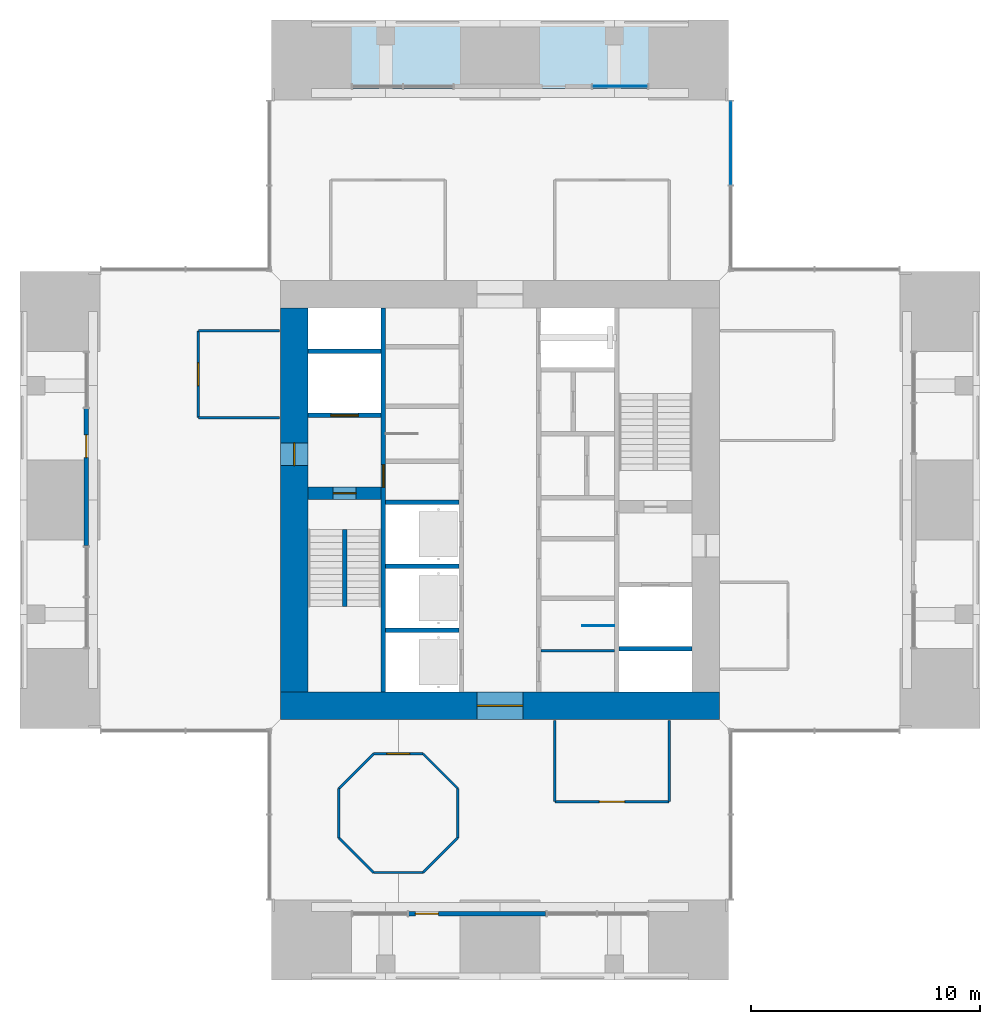
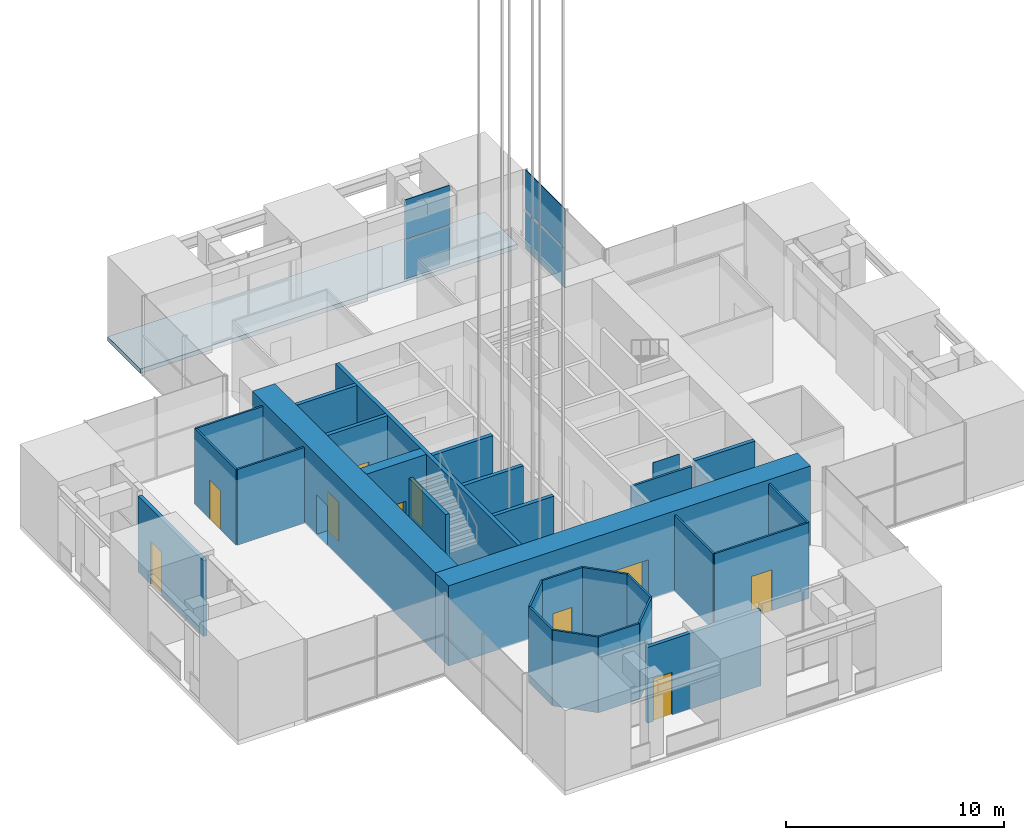
# One storey, part 5 of 17: 29 walls, 10 doors, 4 plates, 1 slab, 10 openings, 2 elements without a shape of their own.
"""IFC4 building model written with IfcOpenShell, lengths in metres."""

from ifc_helpers import new_model, si_unit, direction, frame, frame_2d, origin, origin_2d, place, context, subcontext, project, spatial, polyline, rectangle, outline, extrude, material, layer, layer_set, type_object, element, fill, aggregate, save


model = new_model("IFC4")

# Units and contexts
model_context = context("Model", 3, precision=1e-05, world=origin(), true_north=direction((0.0, 1.0)))
body_context = subcontext(model_context, "Body", "Model", "MODEL_VIEW")
ifc_project = project(units=[si_unit("LENGTHUNIT", "METRE"), si_unit("AREAUNIT", "SQUARE_METRE"), si_unit("VOLUMEUNIT", "CUBIC_METRE"), si_unit("PLANEANGLEUNIT", "RADIAN"), si_unit("MASSUNIT", "GRAM", prefix="KILO")], contexts=[model_context])

# Site, building, storey
site_placement = place(None, origin())
site = spatial("IfcSite", under=ifc_project, at=site_placement, CompositionType="ELEMENT")
building_placement = place(site_placement, origin())
building = spatial("IfcBuilding", under=site, at=building_placement, Name="Svetlomir Tower", CompositionType="ELEMENT")
storey_placement = place(building_placement, frame((0.0, 0.0, 239.5)))
storey = spatial("IfcBuildingStorey", under=building, at=storey_placement, Name="L57", CompositionType="ELEMENT", Elevation=239.5)

# Curtain wall, plates
ifc_material_1 = material(Name="Bronze anodised aluminium curtain wall", Category="aluminium")
curtain_wall_type = type_object("IfcCurtainWallType", Name="CURTAIN WALL CW2 SKY LOBBY", PredefinedType="NOTDEFINED", material=ifc_material_1)
curtain_wall_1_placement = place(storey_placement, origin())
curtain_wall_1 = element("IfcCurtainWall", 1, at=curtain_wall_1_placement, inside=storey, type_object=curtain_wall_type, Name="Curtain wall CW2 L57", PredefinedType="NOTDEFINED")
ifc_material_2 = material(Name="Tinted double glazed unit", Category="glass")
ifc_layer_1 = layer(ifc_material_2, 0.035888671875)
ifc_layer_set_1 = layer_set([ifc_layer_1], Name="Tinted double glazed unit")
plate_type = type_object("IfcPlateType", Name="CW2 GLAZED PANEL 36", PredefinedType="CURTAIN_PANEL", material=ifc_layer_set_1)
plate_1_placement = place(storey_placement, frame((31.10009765625, 36.608642578125, 0.06494140625), z_axis=(0.0, 0.0, 1.0), x_axis=(0.0, 1.0, 0.0)))
plate_1 = element("IfcPlate", 2, at=plate_1_placement, type_object=plate_type, Name="CW2 panel 2.1", PredefinedType="CURTAIN_PANEL", context=body_context, shape_type="SweptSolid", body=[
    extrude(rectangle(XDim=3.652587890625, YDim=0.035888671875, at=origin_2d()), origin(), (0.0, 0.0, 1.0), 2.152587890625),
])
plate_2_placement = place(storey_placement, frame((31.10009765625, 36.608642578125, 2.28271484375), z_axis=(0.0, 0.0, 1.0), x_axis=(0.0, 1.0, 0.0)))
plate_2 = element("IfcPlate", 3, at=plate_2_placement, type_object=plate_type, Name="CW2 panel 2.2", PredefinedType="CURTAIN_PANEL", context=body_context, shape_type="SweptSolid", body=[
    extrude(rectangle(XDim=3.652587890625, YDim=0.035888671875, at=origin_2d()), origin(), (0.0, 0.0, 1.0), 2.217529296875),
])
aggregate(curtain_wall_1, [plate_1, plate_2])

curtain_wall_2_placement = place(storey_placement, origin())
curtain_wall_2 = element("IfcCurtainWall", 4, at=curtain_wall_2_placement, inside=storey, type_object=curtain_wall_type, Name="Curtain wall CW2 L57", PredefinedType="NOTDEFINED")
plate_3_placement = place(storey_placement, frame((26.25, 39.10009765625, 0.06494140625), z_axis=(0.0, 0.0, 1.0), x_axis=(-1.0, 0.0, 0.0)))
plate_3 = element("IfcPlate", 5, at=plate_3_placement, type_object=plate_type, Name="CW2 panel 1.1", PredefinedType="CURTAIN_PANEL", context=body_context, shape_type="SweptSolid", body=[
    extrude(rectangle(XDim=2.3701171875, YDim=0.035888671875, at=origin_2d()), origin(), (0.0, 0.0, 1.0), 2.152587890625),
])
plate_4_placement = place(storey_placement, frame((26.25, 39.10009765625, 2.28271484375), z_axis=(0.0, 0.0, 1.0), x_axis=(-1.0, 0.0, 0.0)))
plate_4 = element("IfcPlate", 6, at=plate_4_placement, type_object=plate_type, Name="CW2 panel 1.2", PredefinedType="CURTAIN_PANEL", context=body_context, shape_type="SweptSolid", body=[
    extrude(rectangle(XDim=2.3701171875, YDim=0.035888671875, at=origin_2d()), origin(), (0.0, 0.0, 1.0), 2.217529296875),
])
aggregate(curtain_wall_2, [plate_3, plate_4])

# Slab
ifc_material_3 = material(Name="Concrete C60/75", Category="concrete")
ifc_layer_2 = layer(ifc_material_3, 0.25)
ifc_layer_set_2 = layer_set([ifc_layer_2], Name="Concrete C60/75")
slab_type = type_object("IfcSlabType", Name="PLANTED LOGGIA SLAB 250", PredefinedType="FLOOR", material=ifc_layer_set_2)
slab_placement = place(storey_placement, frame((0.0, 0.0, -0.25)))
element("IfcSlab", 7, at=slab_placement, inside=storey, type_object=slab_type, Name="L57 N planted loggia", PredefinedType="FLOOR", context=body_context, shape_type="SweptSolid", body=[
    extrude(outline(polyline([(11.0, 39.0), (31.0, 39.0), (31.0, 42.0), (11.0, 42.0), (11.0, 39.0)])), origin(), (0.0, 0.0, 1.0), 0.25),
])

# Wall, opening, door
ifc_material_4 = material(Name="Bronze anodised aluminium glazed screen", Category="aluminium")
ifc_layer_3 = layer(ifc_material_4, 0.199951171875)
ifc_layer_set_3 = layer_set([ifc_layer_3], Name="Bronze anodised aluminium glazed screen")
wall_type_1 = type_object("IfcWallType", Name="BALCONY SCREEN WALL 200", PredefinedType="USERDEFINED", material=ifc_layer_set_3)
wall_1_placement = place(storey_placement, frame((17.0, 2.89990234375, 0.0), z_axis=(0.0, 0.0, 1.0), x_axis=(1.0, 0.0, 0.0)))
wall_1 = element("IfcWall", 8, at=wall_1_placement, inside=storey, type_object=wall_type_1, Name="Balcony screen S", ObjectType="GLAZED SCREEN", PredefinedType="USERDEFINED", context=body_context, shape_type="SweptSolid", body=[
    extrude(rectangle(XDim=6.0, YDim=0.199951171875, at=frame_2d((3.0, 0.0))), origin(), (0.0, 0.0, 1.0), 4.25),
])
opening_1_placement = place(wall_1_placement, frame((0.300048828125, 0.0, 0.0)))
opening_1 = element("IfcOpeningElement", 9, at=opening_1_placement, cuts=wall_1, Name="Opening BD", PredefinedType="OPENING", context=body_context, shape_type="SweptSolid", body=[
    extrude(rectangle(XDim=1.0, YDim=2.39990234375, at=frame_2d((0.5, 1.199951171875))), frame((0.0, 0.10986328125, 0.0), z_axis=(0.0, -1.0, 0.0), x_axis=(1.0, 0.0, 0.0)), (0.0, 0.0, 1.0), 0.219970703125),
])
ifc_material_5 = material(Name="Bronze anodised aluminium glazed door", Category="aluminium")
door_type_1 = type_object("IfcDoorType", Name="BALCONY DOOR BD 1000x2400", OperationType="SINGLE_SWING_LEFT", PredefinedType="DOOR", material=ifc_material_5)
door_1_placement = place(opening_1_placement, origin())
door_1 = element("IfcDoor", 10, at=door_1_placement, inside=storey, type_object=door_type_1, Name="Balcony screen S door", OperationType="SINGLE_SWING_LEFT", OverallHeight=2.39990234375, OverallWidth=1.0, PredefinedType="DOOR", context=body_context, shape_type="SweptSolid", body=[
    extrude(rectangle(XDim=1.0, YDim=2.39990234375, at=frame_2d((0.5, 1.199951171875))), frame((0.0, 0.02490234375, 0.0), z_axis=(0.0, -1.0, 0.0), x_axis=(1.0, 0.0, 0.0)), (0.0, 0.0, 1.0), 0.050048828125),
])
fill(opening_1, door_1)

wall_2_placement = place(storey_placement, frame((2.89990234375, 25.0, 0.0), z_axis=(0.0, 0.0, 1.0), x_axis=(0.0, -1.0, 0.0)))
wall_2 = element("IfcWall", 11, at=wall_2_placement, inside=storey, type_object=wall_type_1, Name="Balcony screen W", ObjectType="GLAZED SCREEN", PredefinedType="USERDEFINED", context=body_context, shape_type="SweptSolid", body=[
    extrude(rectangle(XDim=6.0, YDim=0.199951171875, at=frame_2d((3.0, 0.0))), origin(), (0.0, 0.0, 1.0), 4.25),
])
opening_2_placement = place(wall_2_placement, frame((1.14990234375, 0.0, 0.0)))
opening_2 = element("IfcOpeningElement", 12, at=opening_2_placement, cuts=wall_2, Name="Opening BD", PredefinedType="OPENING", context=body_context, shape_type="SweptSolid", body=[
    extrude(rectangle(XDim=1.0, YDim=2.39990234375, at=frame_2d((0.5, 1.199951171875))), frame((0.0, 0.10986328125, 0.0), z_axis=(0.0, -1.0, 0.0), x_axis=(1.0, 0.0, 0.0)), (0.0, 0.0, 1.0), 0.219970703125),
])
door_2_placement = place(opening_2_placement, origin())
door_2 = element("IfcDoor", 13, at=door_2_placement, inside=storey, type_object=door_type_1, Name="Balcony screen W door", OperationType="SINGLE_SWING_LEFT", OverallHeight=2.39990234375, OverallWidth=1.0, PredefinedType="DOOR", context=body_context, shape_type="SweptSolid", body=[
    extrude(rectangle(XDim=1.0, YDim=2.39990234375, at=frame_2d((0.5, 1.199951171875))), frame((0.0, 0.02490234375, 0.0), z_axis=(0.0, -1.0, 0.0), x_axis=(1.0, 0.0, 0.0)), (0.0, 0.0, 1.0), 0.050048828125),
])
fill(opening_2, door_2)

ifc_material_6 = material(Name="Concrete C60/75", Category="concrete")
ifc_layer_4 = layer(ifc_material_6, 0.199951171875)
ifc_layer_set_4 = layer_set([ifc_layer_4], Name="Concrete C60/75")
wall_type_2 = type_object("IfcWallType", Name="CORE INNER WALL 200", PredefinedType="SHEAR", material=ifc_layer_set_4)
wall_3_placement = place(storey_placement, frame((15.89990234375, 12.60009765625, -0.050048828125), z_axis=(0.0, 0.0, 1.0), x_axis=(0.0, 1.0, 0.0)))
wall_3 = element("IfcWall", 14, at=wall_3_placement, inside=storey, type_object=wall_type_2, Name="Core inner wall 15.9 L57", PredefinedType="SHEAR", context=body_context, shape_type="SweptSolid", body=[
    extrude(rectangle(XDim=16.7998046875, YDim=0.199951171875, at=frame_2d((8.39990234375, 0.0))), origin(), (0.0, 0.0, 1.0), 4.5),
])
opening_3_placement = place(wall_3_placement, frame((8.949951171875, 0.0, 0.050048828125)))
opening_3 = element("IfcOpeningElement", 15, at=opening_3_placement, cuts=wall_3, Name="Opening DF", PredefinedType="OPENING", context=body_context, shape_type="SweptSolid", body=[
    extrude(rectangle(XDim=1.0, YDim=2.199951171875, at=frame_2d((0.5, 1.10009765625))), frame((0.0, 0.10986328125, 0.0), z_axis=(0.0, -1.0, 0.0), x_axis=(1.0, 0.0, 0.0)), (0.0, 0.0, 1.0), 0.219970703125),
])
ifc_material_7 = material(Name="Steel fire door", Category="steel")
door_type_2 = type_object("IfcDoorType", Name="DOOR DF 1000x2200", OperationType="SINGLE_SWING_LEFT", PredefinedType="DOOR", material=ifc_material_7)
door_3_placement = place(opening_3_placement, origin())
door_3 = element("IfcDoor", 16, at=door_3_placement, inside=storey, type_object=door_type_2, Name="Core corridor west door L57", OperationType="SINGLE_SWING_LEFT", OverallHeight=2.199951171875, OverallWidth=1.0, PredefinedType="DOOR", context=body_context, shape_type="SweptSolid", body=[
    extrude(rectangle(XDim=1.0, YDim=2.199951171875, at=frame_2d((0.5, 1.10009765625))), frame((0.0, 0.02490234375, 0.0), z_axis=(0.0, -1.0, 0.0), x_axis=(1.0, 0.0, 0.0)), (0.0, 0.0, 1.0), 0.050048828125),
])
fill(opening_3, door_3)

wall_4_placement = place(storey_placement, frame((12.60009765625, 24.699951171875, -0.050048828125), z_axis=(0.0, 0.0, 1.0), x_axis=(1.0, 0.0, 0.0)))
wall_4 = element("IfcWall", 17, at=wall_4_placement, inside=storey, type_object=wall_type_2, Name="Core inner wall 12.6-15.8/24.7 L57", PredefinedType="SHEAR", context=body_context, shape_type="SweptSolid", body=[
    extrude(rectangle(XDim=3.199951171875, YDim=0.199951171875, at=frame_2d((1.60009765625, 0.0))), origin(), (0.0, 0.0, 1.0), 4.5),
])
opening_4_placement = place(wall_4_placement, frame((1.0, 0.0, 0.050048828125)))
opening_4 = element("IfcOpeningElement", 18, at=opening_4_placement, cuts=wall_4, Name="Opening LD3", PredefinedType="OPENING", context=body_context, shape_type="SweptSolid", body=[
    extrude(rectangle(XDim=1.199951171875, YDim=2.199951171875, at=frame_2d((0.60009765625, 1.10009765625))), frame((0.0, 0.10986328125, 0.0), z_axis=(0.0, -1.0, 0.0), x_axis=(1.0, 0.0, 0.0)), (0.0, 0.0, 1.0), 0.219970703125),
])
ifc_material_8 = material(Name="Stainless steel fire-rated landing door", Category="steel")
door_type_3 = type_object("IfcDoorType", Name="FIREFIGHTING LIFT LANDING DOOR LD3 1200x2200", OperationType="DOUBLE_DOOR_SLIDING", PredefinedType="DOOR", material=ifc_material_8)
door_4_placement = place(opening_4_placement, origin())
door_4 = element("IfcDoor", 19, at=door_4_placement, inside=storey, type_object=door_type_3, Name="Landing door lift FL1 L57", OperationType="DOUBLE_DOOR_SLIDING", OverallHeight=2.199951171875, OverallWidth=1.199951171875, PredefinedType="DOOR", context=body_context, shape_type="SweptSolid", body=[
    extrude(rectangle(XDim=1.199951171875, YDim=2.199951171875, at=frame_2d((0.60009765625, 1.10009765625))), frame((0.0, 0.02490234375, 0.0), z_axis=(0.0, -1.0, 0.0), x_axis=(1.0, 0.0, 0.0)), (0.0, 0.0, 1.0), 0.050048828125),
])
fill(opening_4, door_4)

# Walls
for number, where, z_axis, x_axis, name in (
    (20, (12.60009765625, 27.5, -0.050048828125), (0.0, 0.0, 1.0), (1.0, 0.0, 0.0), "Core inner wall 12.6-15.8/27.5 L57"),
    (21, (16.0, 15.300048828125, -0.050048828125), (0.0, 0.0, 1.0), (1.0, 0.0, 0.0), "Core inner wall 16-19.2/15.3 L57"),
    (22, (16.0, 18.10009765625, -0.050048828125), (0.0, 0.0, 1.0), (1.0, 0.0, 0.0), "Core inner wall 16-19.2/18.1 L57"),
    (23, (16.0, 20.89990234375, -0.050048828125), (0.0, 0.0, 1.0), (1.0, 0.0, 0.0), "Core inner wall 16-19.2/20.9 L57"),
    (24, (26.199951171875, 14.5, -0.050048828125), (0.0, 0.0, 1.0), (1.0, 0.0, 0.0), "Core inner wall 26.2-29.4/14.5 L57"),
):
    element("IfcWall", number, at=place(storey_placement, frame(where, z_axis=z_axis, x_axis=x_axis)), inside=storey, type_object=wall_type_2, Name=name, PredefinedType="SHEAR", context=body_context, shape_type="SweptSolid", body=[
        extrude(rectangle(XDim=3.199951171875, YDim=0.199951171875, at=frame_2d((1.60009765625, 0.0))), origin(), (0.0, 0.0, 1.0), 4.5),
    ])

# Wall, opening, door
ifc_material_9 = material(Name="Concrete C60/75", Category="concrete")
ifc_layer_5 = layer(ifc_material_9, 0.550048828125)
ifc_layer_set_5 = layer_set([ifc_layer_5], Name="Concrete C60/75")
wall_type_3 = type_object("IfcWallType", Name="CORE OUTRIGGER WALL 550", PredefinedType="SHEAR", material=ifc_layer_set_5)
wall_5_placement = place(storey_placement, frame((12.60009765625, 21.300048828125, -0.050048828125), z_axis=(0.0, 0.0, 1.0), x_axis=(1.0, 0.0, 0.0)))
wall_5 = element("IfcWall", 25, at=wall_5_placement, inside=storey, type_object=wall_type_3, Name="Core outrigger wall 12.6-15.8/21.3 L57", PredefinedType="SHEAR", context=body_context, shape_type="SweptSolid", body=[
    extrude(rectangle(XDim=3.199951171875, YDim=0.550048828125, at=frame_2d((1.60009765625, 0.0))), origin(), (0.0, 0.0, 1.0), 4.5),
])
opening_5_placement = place(wall_5_placement, frame((1.10009765625, 0.0, 0.050048828125)))
opening_5 = element("IfcOpeningElement", 26, at=opening_5_placement, cuts=wall_5, Name="Opening DF", PredefinedType="OPENING", context=body_context, shape_type="SweptSolid", body=[
    extrude(rectangle(XDim=1.0, YDim=2.199951171875, at=frame_2d((0.5, 1.10009765625))), frame((0.0, 0.28515625, 0.0), z_axis=(0.0, -1.0, 0.0), x_axis=(1.0, 0.0, 0.0)), (0.0, 0.0, 1.0), 0.570068359375),
])
door_5_placement = place(opening_5_placement, origin())
door_5 = element("IfcDoor", 27, at=door_5_placement, inside=storey, type_object=door_type_2, Name="Stair S1 door L57", OperationType="SINGLE_SWING_RIGHT", OverallHeight=2.199951171875, OverallWidth=1.0, PredefinedType="DOOR", context=body_context, shape_type="SweptSolid", body=[
    extrude(rectangle(XDim=1.0, YDim=2.199951171875, at=frame_2d((0.5, 1.10009765625))), frame((0.0, 0.02490234375, 0.0), z_axis=(0.0, -1.0, 0.0), x_axis=(1.0, 0.0, 0.0)), (0.0, 0.0, 1.0), 0.050048828125),
])
fill(opening_5, door_5)

ifc_material_10 = material(Name="Concrete C60/75", Category="concrete")
ifc_layer_6 = layer(ifc_material_10, 1.199951171875)
ifc_layer_set_6 = layer_set([ifc_layer_6], Name="Concrete C60/75")
wall_type_4 = type_object("IfcWallType", Name="CORE WALL 1200", PredefinedType="SHEAR", material=ifc_layer_set_6)
wall_6_placement = place(storey_placement, frame((11.39990234375, 12.0, -0.050048828125), z_axis=(0.0, 0.0, 1.0), x_axis=(1.0, 0.0, 0.0)))
wall_6 = element("IfcWall", 28, at=wall_6_placement, inside=storey, type_object=wall_type_4, Name="Core wall south L57", PredefinedType="SHEAR", context=body_context, shape_type="SweptSolid", body=[
    extrude(rectangle(XDim=19.2001953125, YDim=1.199951171875, at=frame_2d((9.60009765625, 0.0))), origin(), (0.0, 0.0, 1.0), 4.5),
])
opening_6_placement = place(wall_6_placement, frame((8.60009765625, 0.0, 0.050048828125)))
opening_6 = element("IfcOpeningElement", 29, at=opening_6_placement, cuts=wall_6, Name="Opening DL", PredefinedType="OPENING", context=body_context, shape_type="SweptSolid", body=[
    extrude(rectangle(XDim=2.0, YDim=2.199951171875, at=frame_2d((1.0, 1.10009765625))), frame((0.0, 0.60986328125, 0.0), z_axis=(0.0, -1.0, 0.0), x_axis=(1.0, 0.0, 0.0)), (0.0, 0.0, 1.0), 1.219970703125),
])
ifc_material_11 = material(Name="Steel fire door", Category="steel")
door_type_4 = type_object("IfcDoorType", Name="DOOR DL 2000x2200", OperationType="DOUBLE_DOOR_SINGLE_SWING", PredefinedType="DOOR", material=ifc_material_11)
door_6_placement = place(opening_6_placement, origin())
door_6 = element("IfcDoor", 30, at=door_6_placement, inside=storey, type_object=door_type_4, Name="Lift lobby south door L57", OperationType="DOUBLE_DOOR_SINGLE_SWING", OverallHeight=2.199951171875, OverallWidth=2.0, PredefinedType="DOOR", context=body_context, shape_type="SweptSolid", body=[
    extrude(rectangle(XDim=2.0, YDim=2.199951171875, at=frame_2d((1.0, 1.10009765625))), frame((0.0, 0.02490234375, 0.0), z_axis=(0.0, -1.0, 0.0), x_axis=(1.0, 0.0, 0.0)), (0.0, 0.0, 1.0), 0.050048828125),
])
fill(opening_6, door_6)

wall_7_placement = place(storey_placement, frame((12.0, 12.60009765625, -0.050048828125), z_axis=(0.0, 0.0, 1.0), x_axis=(0.0, 1.0, 0.0)))
wall_7 = element("IfcWall", 31, at=wall_7_placement, inside=storey, type_object=wall_type_4, Name="Core wall west L57", PredefinedType="SHEAR", context=body_context, shape_type="SweptSolid", body=[
    extrude(rectangle(XDim=16.7998046875, YDim=1.199951171875, at=frame_2d((8.39990234375, 0.0))), origin(), (0.0, 0.0, 1.0), 4.5),
])
opening_7_placement = place(wall_7_placement, frame((9.89990234375, 0.0, 0.050048828125)))
opening_7 = element("IfcOpeningElement", 32, at=opening_7_placement, cuts=wall_7, Name="Opening DF", PredefinedType="OPENING", context=body_context, shape_type="SweptSolid", body=[
    extrude(rectangle(XDim=1.0, YDim=2.199951171875, at=frame_2d((0.5, 1.10009765625))), frame((0.0, 0.60986328125, 0.0), z_axis=(0.0, -1.0, 0.0), x_axis=(1.0, 0.0, 0.0)), (0.0, 0.0, 1.0), 1.219970703125),
])
door_7_placement = place(opening_7_placement, origin())
door_7 = element("IfcDoor", 33, at=door_7_placement, inside=storey, type_object=door_type_2, Name="Firefighting lobby west door L57", OperationType="SINGLE_SWING_LEFT", OverallHeight=2.199951171875, OverallWidth=1.0, PredefinedType="DOOR", context=body_context, shape_type="SweptSolid", body=[
    extrude(rectangle(XDim=1.0, YDim=2.199951171875, at=frame_2d((0.5, 1.10009765625))), frame((0.0, 0.02490234375, 0.0), z_axis=(0.0, -1.0, 0.0), x_axis=(1.0, 0.0, 0.0)), (0.0, 0.0, 1.0), 0.050048828125),
])
fill(opening_7, door_7)

ifc_material_12 = material(Name="Framed laminated glass partition", Category="glass")
ifc_layer_7 = layer(ifc_material_12, 0.10009765625)
ifc_layer_set_7 = layer_set([ifc_layer_7], Name="Framed laminated glass partition")
wall_type_5 = type_object("IfcWallType", Name="GLAZED PARTITION 100", PredefinedType="PARTITIONING", material=ifc_layer_set_7)
wall_8_placement = place(storey_placement, frame((7.800048828125, 24.60009765625, 0.0), z_axis=(0.0, 0.0, 1.0), x_axis=(0.0, 1.0, 0.0)))
wall_8 = element("IfcWall", 34, at=wall_8_placement, inside=storey, type_object=wall_type_5, Name="Glazed partition L57", PredefinedType="PARTITIONING", context=body_context, shape_type="SweptSolid", body=[
    extrude(rectangle(XDim=3.7998046875, YDim=0.10009765625, at=frame_2d((1.89990234375, 0.0))), origin(), (0.0, 0.0, 1.0), 4.25),
])
opening_8_placement = place(wall_8_placement, frame((1.39990234375, 0.0, 0.0)))
opening_8 = element("IfcOpeningElement", 35, at=opening_8_placement, cuts=wall_8, Name="Opening DR", PredefinedType="OPENING", context=body_context, shape_type="SweptSolid", body=[
    extrude(rectangle(XDim=1.0, YDim=2.199951171875, at=frame_2d((0.5, 1.10009765625))), frame((0.0, 0.06005859375, 0.0), z_axis=(0.0, -1.0, 0.0), x_axis=(1.0, 0.0, 0.0)), (0.0, 0.0, 1.0), 0.1201171875),
])
ifc_material_13 = material(Name="Timber door, glazed side light", Category="wood")
door_type_5 = type_object("IfcDoorType", Name="DOOR DR 1000x2200", OperationType="SINGLE_SWING_LEFT", PredefinedType="DOOR", material=ifc_material_13)
door_8_placement = place(opening_8_placement, origin())
door_8 = element("IfcDoor", 36, at=door_8_placement, inside=storey, type_object=door_type_5, Name="Catering pantry door L57", OperationType="SINGLE_SWING_LEFT", OverallHeight=2.199951171875, OverallWidth=1.0, PredefinedType="DOOR", context=body_context, shape_type="SweptSolid", body=[
    extrude(rectangle(XDim=1.0, YDim=2.199951171875, at=frame_2d((0.5, 1.10009765625))), frame((0.0, 0.02490234375, 0.0), z_axis=(0.0, -1.0, 0.0), x_axis=(1.0, 0.0, 0.0)), (0.0, 0.0, 1.0), 0.050048828125),
])
fill(opening_8, door_8)

# Walls
for number, where, z_axis, x_axis, name in (
    (37, (7.800048828125, 24.60009765625, 0.0), (0.0, 0.0, 1.0), (1.0, 0.0, 0.0), "Glazed partition L57"),
    (38, (7.800048828125, 28.39990234375, 0.0), (0.0, 0.0, 1.0), (1.0, 0.0, 0.0), "Glazed partition L57"),
):
    element("IfcWall", number, at=place(storey_placement, frame(where, z_axis=z_axis, x_axis=x_axis)), inside=storey, type_object=wall_type_5, Name=name, PredefinedType="PARTITIONING", context=body_context, shape_type="SweptSolid", body=[
        extrude(rectangle(XDim=3.550048828125, YDim=0.10009765625, at=frame_2d((1.77490234375, 0.0))), origin(), (0.0, 0.0, 1.0), 4.25),
    ])
wall_9_placement = place(storey_placement, frame((13.949951171875, 6.222900390625, 0.0), z_axis=(0.0, 0.0, 1.0), x_axis=(0.0, 1.0, 0.0)))
element("IfcWall", 39, at=wall_9_placement, inside=storey, type_object=wall_type_5, Name="Glazed partition L57", PredefinedType="PARTITIONING", context=body_context, shape_type="SweptSolid", body=[
    extrude(rectangle(XDim=2.154052734375, YDim=0.10009765625, at=frame_2d((1.0771484375, 0.0))), origin(), (0.0, 0.0, 1.0), 4.25),
])
for number, where, z_axis, x_axis, name in (
    (40, (13.949951171875, 6.222900390625, 0.0), (0.0, 0.0, 1.0), (0.707106781187, -0.707106781187, 0.0), "Glazed partition L57"),
    (41, (13.949951171875, 8.376953125, 0.0), (0.0, 0.0, 1.0), (0.707106781187, 0.707106781187, 0.0), "Glazed partition L57"),
):
    element("IfcWall", number, at=place(storey_placement, frame(where, z_axis=z_axis, x_axis=x_axis)), inside=storey, type_object=wall_type_5, Name=name, PredefinedType="PARTITIONING", context=body_context, shape_type="SweptSolid", body=[
        extrude(rectangle(XDim=2.15380859375, YDim=0.10009765625, at=frame_2d((1.076904296875, 0.0))), origin(), (0.0, 0.0, 1.0), 4.25),
    ])
wall_10_placement = place(storey_placement, frame((15.472900390625, 4.699951171875, 0.0), z_axis=(0.0, 0.0, 1.0), x_axis=(1.0, 0.0, 0.0)))
element("IfcWall", 42, at=wall_10_placement, inside=storey, type_object=wall_type_5, Name="Glazed partition L57", PredefinedType="PARTITIONING", context=body_context, shape_type="SweptSolid", body=[
    extrude(rectangle(XDim=2.154052734375, YDim=0.10009765625, at=frame_2d((1.0771484375, 0.0))), origin(), (0.0, 0.0, 1.0), 4.25),
])

# Wall, opening, door
wall_11_placement = place(storey_placement, frame((15.472900390625, 9.89990234375, 0.0), z_axis=(0.0, 0.0, 1.0), x_axis=(1.0, 0.0, 0.0)))
wall_11 = element("IfcWall", 43, at=wall_11_placement, inside=storey, type_object=wall_type_5, Name="Glazed partition L57", PredefinedType="PARTITIONING", context=body_context, shape_type="SweptSolid", body=[
    extrude(rectangle(XDim=2.154052734375, YDim=0.10009765625, at=frame_2d((1.0771484375, 0.0))), origin(), (0.0, 0.0, 1.0), 4.25),
])
opening_9_placement = place(wall_11_placement, frame((0.576904296875, 0.0, 0.0)))
opening_9 = element("IfcOpeningElement", 44, at=opening_9_placement, cuts=wall_11, Name="Opening DR", PredefinedType="OPENING", context=body_context, shape_type="SweptSolid", body=[
    extrude(rectangle(XDim=1.0, YDim=2.199951171875, at=frame_2d((0.5, 1.10009765625))), frame((0.0, 0.06005859375, 0.0), z_axis=(0.0, -1.0, 0.0), x_axis=(1.0, 0.0, 0.0)), (0.0, 0.0, 1.0), 0.1201171875),
])
door_9_placement = place(opening_9_placement, origin())
door_9 = element("IfcDoor", 45, at=door_9_placement, inside=storey, type_object=door_type_5, Name="Observatory lounge door L57", OperationType="SINGLE_SWING_RIGHT", OverallHeight=2.199951171875, OverallWidth=1.0, PredefinedType="DOOR", context=body_context, shape_type="SweptSolid", body=[
    extrude(rectangle(XDim=1.0, YDim=2.199951171875, at=frame_2d((0.5, 1.10009765625))), frame((0.0, 0.02490234375, 0.0), z_axis=(0.0, -1.0, 0.0), x_axis=(1.0, 0.0, 0.0)), (0.0, 0.0, 1.0), 0.050048828125),
])
fill(opening_9, door_9)

# Walls
for number, where, z_axis, x_axis, name in (
    (46, (17.626953125, 4.699951171875, 0.0), (0.0, 0.0, 1.0), (0.707106781187, 0.707106781187, 0.0), "Glazed partition L57"),
    (47, (17.626953125, 9.89990234375, 0.0), (0.0, 0.0, 1.0), (0.707106781187, -0.707106781187, 0.0), "Glazed partition L57"),
):
    element("IfcWall", number, at=place(storey_placement, frame(where, z_axis=z_axis, x_axis=x_axis)), inside=storey, type_object=wall_type_5, Name=name, PredefinedType="PARTITIONING", context=body_context, shape_type="SweptSolid", body=[
        extrude(rectangle(XDim=2.15380859375, YDim=0.10009765625, at=frame_2d((1.076904296875, 0.0))), origin(), (0.0, 0.0, 1.0), 4.25),
    ])
wall_12_placement = place(storey_placement, frame((19.14990234375, 6.222900390625, 0.0), z_axis=(0.0, 0.0, 1.0), x_axis=(0.0, 1.0, 0.0)))
element("IfcWall", 48, at=wall_12_placement, inside=storey, type_object=wall_type_5, Name="Glazed partition L57", PredefinedType="PARTITIONING", context=body_context, shape_type="SweptSolid", body=[
    extrude(rectangle(XDim=2.154052734375, YDim=0.10009765625, at=frame_2d((1.0771484375, 0.0))), origin(), (0.0, 0.0, 1.0), 4.25),
])
wall_13_placement = place(storey_placement, frame((23.39990234375, 7.800048828125, 0.0), z_axis=(0.0, 0.0, 1.0), x_axis=(0.0, 1.0, 0.0)))
element("IfcWall", 49, at=wall_13_placement, inside=storey, type_object=wall_type_5, Name="Partition L57", PredefinedType="PARTITIONING", context=body_context, shape_type="SweptSolid", body=[
    extrude(rectangle(XDim=3.550048828125, YDim=0.10009765625, at=frame_2d((1.77490234375, 0.0))), origin(), (0.0, 0.0, 1.0), 4.25),
])

# Wall, opening, door
wall_14_placement = place(storey_placement, frame((23.39990234375, 7.800048828125, 0.0), z_axis=(0.0, 0.0, 1.0), x_axis=(1.0, 0.0, 0.0)))
wall_14 = element("IfcWall", 50, at=wall_14_placement, inside=storey, type_object=wall_type_5, Name="Partition L57", PredefinedType="PARTITIONING", context=body_context, shape_type="SweptSolid", body=[
    extrude(rectangle(XDim=5.0, YDim=0.10009765625, at=frame_2d((2.5, 0.0))), origin(), (0.0, 0.0, 1.0), 4.25),
])
opening_10_placement = place(wall_14_placement, frame((1.949951171875, 0.0, 0.0)))
opening_10 = element("IfcOpeningElement", 51, at=opening_10_placement, cuts=wall_14, Name="Opening DE", PredefinedType="OPENING", context=body_context, shape_type="SweptSolid", body=[
    extrude(rectangle(XDim=1.10009765625, YDim=2.300048828125, at=frame_2d((0.550048828125, 1.14990234375))), frame((0.0, 0.06005859375, 0.0), z_axis=(0.0, -1.0, 0.0), x_axis=(1.0, 0.0, 0.0)), (0.0, 0.0, 1.0), 0.1201171875),
])
ifc_material_14 = material(Name="Walnut veneered timber door", Category="wood")
door_type_6 = type_object("IfcDoorType", Name="DOOR DE 1100x2300", OperationType="SINGLE_SWING_LEFT", PredefinedType="DOOR", material=ifc_material_14)
door_10_placement = place(opening_10_placement, origin())
door_10 = element("IfcDoor", 52, at=door_10_placement, inside=storey, type_object=door_type_6, Name="Executive reception office door L57", OperationType="SINGLE_SWING_LEFT", OverallHeight=2.300048828125, OverallWidth=1.10009765625, PredefinedType="DOOR", context=body_context, shape_type="SweptSolid", body=[
    extrude(rectangle(XDim=1.10009765625, YDim=2.300048828125, at=frame_2d((0.550048828125, 1.14990234375))), frame((0.0, 0.02490234375, 0.0), z_axis=(0.0, -1.0, 0.0), x_axis=(1.0, 0.0, 0.0)), (0.0, 0.0, 1.0), 0.050048828125),
])
fill(opening_10, door_10)

# Walls
wall_15_placement = place(storey_placement, frame((28.39990234375, 7.800048828125, 0.0), z_axis=(0.0, 0.0, 1.0), x_axis=(0.0, 1.0, 0.0)))
element("IfcWall", 53, at=wall_15_placement, inside=storey, type_object=wall_type_5, Name="Partition L57", PredefinedType="PARTITIONING", context=body_context, shape_type="SweptSolid", body=[
    extrude(rectangle(XDim=3.550048828125, YDim=0.10009765625, at=frame_2d((1.77490234375, 0.0))), origin(), (0.0, 0.0, 1.0), 4.25),
])
ifc_material_15 = material(Name="Gypsum board on steel studs", Category="steel")
ifc_layer_8 = layer(ifc_material_15, 0.1201171875)
ifc_layer_set_8 = layer_set([ifc_layer_8], Name="Gypsum board on steel studs")
wall_type_6 = type_object("IfcWallType", Name="PARTITION 120", PredefinedType="PARTITIONING", material=ifc_layer_set_8)
wall_16_placement = place(storey_placement, frame((22.800048828125, 14.39990234375, 0.0), z_axis=(0.0, 0.0, 1.0), x_axis=(1.0, 0.0, 0.0)))
element("IfcWall", 54, at=wall_16_placement, inside=storey, type_object=wall_type_6, Name="Floor store partition L57", PredefinedType="PARTITIONING", context=body_context, shape_type="SweptSolid", body=[
    extrude(rectangle(XDim=3.199951171875, YDim=0.1201171875, at=frame_2d((1.60009765625, 0.0))), origin(), (0.0, 0.0, 1.0), 4.25),
])
ifc_material_16 = material(Name="Concrete C60/75", Category="concrete")
ifc_layer_9 = layer(ifc_material_16, 0.199951171875)
ifc_layer_set_9 = layer_set([ifc_layer_9], Name="Concrete C60/75")
wall_type_7 = type_object("IfcWallType", Name="STAIR SPINE WALL 200", PredefinedType="PARTITIONING", material=ifc_layer_set_9)
wall_17_placement = place(storey_placement, frame((14.199951171875, 16.340087890625, 0.0), z_axis=(0.0, 0.0, 1.0), x_axis=(0.0, 1.0, 0.0)))
element("IfcWall", 55, at=wall_17_placement, inside=storey, type_object=wall_type_7, Name="Stair S1 spine wall L57", PredefinedType="PARTITIONING", context=body_context, shape_type="SweptSolid", body=[
    extrude(rectangle(XDim=3.35986328125, YDim=0.199951171875, at=frame_2d((1.679931640625, 0.0))), origin(), (0.0, 0.0, 1.0), 4.5),
])
ifc_material_17 = material(Name="Compact laminate panel", Category="plastic")
ifc_layer_10 = layer(ifc_material_17, 0.030029296875)
ifc_layer_set_10 = layer_set([ifc_layer_10], Name="Compact laminate panel")
wall_type_8 = type_object("IfcWallType", Name="WC CUBICLE PARTITION 30", PredefinedType="PARTITIONING", material=ifc_layer_set_10)
wall_18_placement = place(storey_placement, frame((24.60009765625, 15.5, 0.0), z_axis=(0.0, 0.0, 1.0), x_axis=(1.0, 0.0, 0.0)))
element("IfcWall", 56, at=wall_18_placement, inside=storey, type_object=wall_type_8, Name="WC cubicle partition L57", PredefinedType="PARTITIONING", context=body_context, shape_type="SweptSolid", body=[
    extrude(rectangle(XDim=1.39990234375, YDim=0.030029296875, at=frame_2d((0.699951171875, 0.0))), origin(), (0.0, 0.0, 1.0), 4.25),
])

save(model, "model.ifc")
